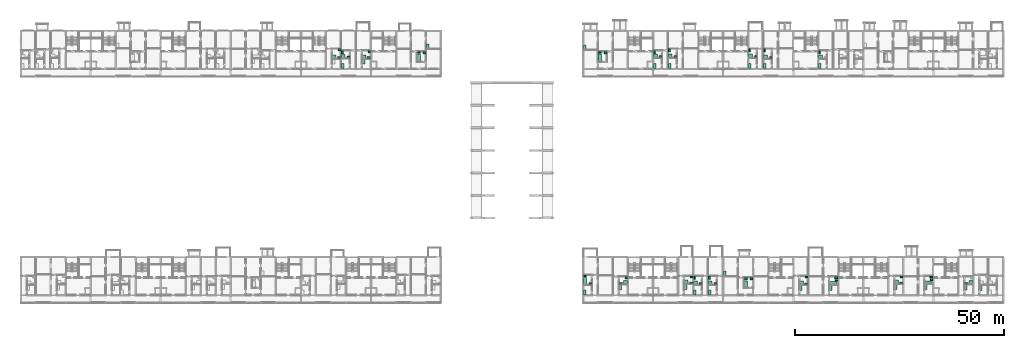
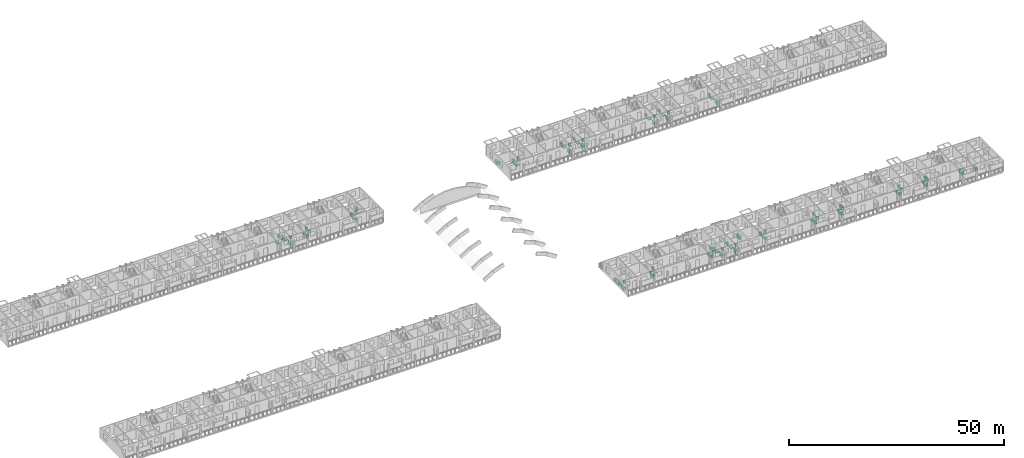
# One storey, part 98 of 99: 82 sanitary terminals.
"""IFC4 building model written with IfcOpenShell, lengths in metres."""

from ifc_helpers import new_model, si_unit, direction, frame, origin, origin_2d, place, context, subcontext, project, spatial, rectangle, extrude, element, save


model = new_model("IFC4")

# Units and contexts
model_context = context("Model", 3, precision=1e-05, world=origin(), true_north=direction((0.0, 1.0)))
body_context = subcontext(model_context, "Body", "Model", "MODEL_VIEW")
ifc_project = project(units=[si_unit("LENGTHUNIT", "METRE"), si_unit("AREAUNIT", "SQUARE_METRE"), si_unit("VOLUMEUNIT", "CUBIC_METRE"), si_unit("PLANEANGLEUNIT", "RADIAN"), si_unit("MASSUNIT", "GRAM", prefix="KILO")], contexts=[model_context])

# Site, building, storey
site_placement = place(None, origin())
site = spatial("IfcSite", under=ifc_project, at=site_placement, CompositionType="ELEMENT")
building_placement = place(site_placement, origin())
building = spatial("IfcBuilding", under=site, at=building_placement, Name="Ridgestep Commons", CompositionType="ELEMENT")
storey_placement = place(building_placement, frame((0.0, 0.0, 15.0)))
storey = spatial("IfcBuildingStorey", under=building, at=storey_placement, Name="L05", CompositionType="ELEMENT", Elevation=15.0)

# Sanitary terminals
sanitary_terminal_1_placement = place(storey_placement, frame((94.360107421875, 70.860107421875, 0.0), z_axis=(0.0, 0.0, 1.0), x_axis=(1.0, 0.0, 0.0)))
element("IfcSanitaryTerminal", 1, at=sanitary_terminal_1_placement, inside=storey, Name="Shower tray B5-05a", PredefinedType="SHOWER", context=body_context, shape_type="SweptSolid", body=[
    extrude(rectangle(XDim=0.89990234375, YDim=0.89990234375, at=origin_2d()), origin(), (0.0, 0.0, 1.0), 0.10009765625),
])
sanitary_terminal_2_placement = place(storey_placement, frame((95.5, 70.610107421875, 0.0), z_axis=(0.0, 0.0, 1.0), x_axis=(1.0, 0.0, 0.0)))
element("IfcSanitaryTerminal", 2, at=sanitary_terminal_2_placement, inside=storey, Name="WC B5-05a", PredefinedType="TOILETPAN", context=body_context, shape_type="SweptSolid", body=[
    extrude(rectangle(XDim=0.699951171875, YDim=0.39990234375, at=origin_2d()), origin(), (0.0, 0.0, 1.0), 0.800048828125),
])
sanitary_terminal_3_placement = place(storey_placement, frame((95.574951171875, 72.074951171875, 0.0), z_axis=(0.0, 0.0, 1.0), x_axis=(1.0, 0.0, 0.0)))
element("IfcSanitaryTerminal", 3, at=sanitary_terminal_3_placement, inside=storey, Name="Basin B5-05a", PredefinedType="WASHHANDBASIN", context=body_context, shape_type="SweptSolid", body=[
    extrude(rectangle(XDim=0.550048828125, YDim=0.449951171875, at=origin_2d()), origin(), (0.0, 0.0, 1.0), 0.85009765625),
])
sanitary_terminal_4_placement = place(storey_placement, frame((94.2099609375, 69.699951171875, 0.0), z_axis=(0.0, 0.0, 1.0), x_axis=(1.0, 0.0, 0.0)))
element("IfcSanitaryTerminal", 4, at=sanitary_terminal_4_placement, inside=storey, Name="Kitchen sink B5-05a", PredefinedType="SINK", context=body_context, shape_type="SweptSolid", body=[
    extrude(rectangle(XDim=0.60009765625, YDim=1.199951171875, at=origin_2d()), origin(), (0.0, 0.0, 1.0), 0.89990234375),
])
sanitary_terminal_5_placement = place(storey_placement, frame((89.35009765625, 70.9599609375, 0.0), z_axis=(0.0, 0.0, 1.0), x_axis=(1.0, 0.0, 0.0)))
element("IfcSanitaryTerminal", 5, at=sanitary_terminal_5_placement, inside=storey, Name="Shower tray B5-05b", PredefinedType="SHOWER", context=body_context, shape_type="SweptSolid", body=[
    extrude(rectangle(XDim=0.89990234375, YDim=0.89990234375, at=origin_2d()), origin(), (0.0, 0.0, 1.0), 0.10009765625),
])
sanitary_terminal_6_placement = place(storey_placement, frame((89.10009765625, 71.949951171875, 0.0), z_axis=(0.0, 0.0, 1.0), x_axis=(1.0, 0.0, 0.0)))
element("IfcSanitaryTerminal", 6, at=sanitary_terminal_6_placement, inside=storey, Name="WC B5-05b", PredefinedType="TOILETPAN", context=body_context, shape_type="SweptSolid", body=[
    extrude(rectangle(XDim=0.39990234375, YDim=0.699951171875, at=origin_2d()), origin(), (0.0, 0.0, 1.0), 0.800048828125),
])
sanitary_terminal_7_placement = place(storey_placement, frame((90.614990234375, 70.735107421875, 0.0), z_axis=(0.0, 0.0, 1.0), x_axis=(1.0, 0.0, 0.0)))
element("IfcSanitaryTerminal", 7, at=sanitary_terminal_7_placement, inside=storey, Name="Basin B5-05b", PredefinedType="WASHHANDBASIN", context=body_context, shape_type="SweptSolid", body=[
    extrude(rectangle(XDim=0.550048828125, YDim=0.449951171875, at=origin_2d()), origin(), (0.0, 0.0, 1.0), 0.85009765625),
])
sanitary_terminal_8_placement = place(storey_placement, frame((89.199951171875, 68.60009765625, 0.0), z_axis=(0.0, 0.0, 1.0), x_axis=(1.0, 0.0, 0.0)))
element("IfcSanitaryTerminal", 8, at=sanitary_terminal_8_placement, inside=storey, Name="Kitchen sink B5-05b", PredefinedType="SINK", context=body_context, shape_type="SweptSolid", body=[
    extrude(rectangle(XDim=0.60009765625, YDim=1.199951171875, at=origin_2d()), origin(), (0.0, 0.0, 1.0), 0.89990234375),
])
sanitary_terminal_9_placement = place(storey_placement, frame((87.18505859375, 70.860107421875, 0.0), z_axis=(0.0, 0.0, 1.0), x_axis=(1.0, 0.0, 0.0)))
element("IfcSanitaryTerminal", 9, at=sanitary_terminal_9_placement, inside=storey, Name="Shower tray B5-05c", PredefinedType="SHOWER", context=body_context, shape_type="SweptSolid", body=[
    extrude(rectangle(XDim=0.89990234375, YDim=0.89990234375, at=origin_2d()), origin(), (0.0, 0.0, 1.0), 0.10009765625),
])
sanitary_terminal_10_placement = place(storey_placement, frame((88.35009765625, 70.610107421875, 0.0), z_axis=(0.0, 0.0, 1.0), x_axis=(1.0, 0.0, 0.0)))
element("IfcSanitaryTerminal", 10, at=sanitary_terminal_10_placement, inside=storey, Name="WC B5-05c", PredefinedType="TOILETPAN", context=body_context, shape_type="SweptSolid", body=[
    extrude(rectangle(XDim=0.699951171875, YDim=0.39990234375, at=origin_2d()), origin(), (0.0, 0.0, 1.0), 0.800048828125),
])
sanitary_terminal_11_placement = place(storey_placement, frame((88.425048828125, 72.47509765625, 0.0), z_axis=(0.0, 0.0, 1.0), x_axis=(1.0, 0.0, 0.0)))
element("IfcSanitaryTerminal", 11, at=sanitary_terminal_11_placement, inside=storey, Name="Basin B5-05c", PredefinedType="WASHHANDBASIN", context=body_context, shape_type="SweptSolid", body=[
    extrude(rectangle(XDim=0.550048828125, YDim=0.449951171875, at=origin_2d()), origin(), (0.0, 0.0, 1.0), 0.85009765625),
])
sanitary_terminal_12_placement = place(storey_placement, frame((107.485107421875, 70.510009765625, 0.0), z_axis=(0.0, 0.0, 1.0), x_axis=(1.0, 0.0, 0.0)))
element("IfcSanitaryTerminal", 12, at=sanitary_terminal_12_placement, inside=storey, Name="Bath B6-05a", PredefinedType="BATH", context=body_context, shape_type="SweptSolid", body=[
    extrude(rectangle(XDim=0.75, YDim=1.699951171875, at=origin_2d()), origin(), (0.0, 0.0, 1.0), 0.550048828125),
])
sanitary_terminal_13_placement = place(storey_placement, frame((107.4599609375, 71.860107421875, 0.0), z_axis=(0.0, 0.0, 1.0), x_axis=(1.0, 0.0, 0.0)))
element("IfcSanitaryTerminal", 13, at=sanitary_terminal_13_placement, inside=storey, Name="WC B6-05a", PredefinedType="TOILETPAN", context=body_context, shape_type="SweptSolid", body=[
    extrude(rectangle(XDim=0.699951171875, YDim=0.39990234375, at=origin_2d()), origin(), (0.0, 0.0, 1.0), 0.800048828125),
])
sanitary_terminal_14_placement = place(storey_placement, frame((108.824951171875, 71.8349609375, 0.0), z_axis=(0.0, 0.0, 1.0), x_axis=(1.0, 0.0, 0.0)))
element("IfcSanitaryTerminal", 14, at=sanitary_terminal_14_placement, inside=storey, Name="Basin B6-05a", PredefinedType="WASHHANDBASIN", context=body_context, shape_type="SweptSolid", body=[
    extrude(rectangle(XDim=0.550048828125, YDim=0.449951171875, at=origin_2d()), origin(), (0.0, 0.0, 1.0), 0.85009765625),
])
sanitary_terminal_15_placement = place(storey_placement, frame((109.60009765625, 73.31005859375, 0.0), z_axis=(0.0, 0.0, 1.0), x_axis=(1.0, 0.0, 0.0)))
element("IfcSanitaryTerminal", 15, at=sanitary_terminal_15_placement, inside=storey, Name="Kitchen sink B6-05a", PredefinedType="SINK", context=body_context, shape_type="SweptSolid", body=[
    extrude(rectangle(XDim=0.60009765625, YDim=1.199951171875, at=origin_2d()), origin(), (0.0, 0.0, 1.0), 0.89990234375),
])
sanitary_terminal_16_placement = place(storey_placement, frame((150.875, 70.510009765625, 0.0), z_axis=(0.0, 0.0, 1.0), x_axis=(1.0, 0.0, 0.0)))
element("IfcSanitaryTerminal", 16, at=sanitary_terminal_16_placement, inside=storey, Name="Bath C1-05a", PredefinedType="BATH", context=body_context, shape_type="SweptSolid", body=[
    extrude(rectangle(XDim=0.75, YDim=1.699951171875, at=origin_2d()), origin(), (0.0, 0.0, 1.0), 0.550048828125),
])
sanitary_terminal_17_placement = place(storey_placement, frame((150.85009765625, 71.860107421875, 0.0), z_axis=(0.0, 0.0, 1.0), x_axis=(1.0, 0.0, 0.0)))
element("IfcSanitaryTerminal", 17, at=sanitary_terminal_17_placement, inside=storey, Name="WC C1-05a", PredefinedType="TOILETPAN", context=body_context, shape_type="SweptSolid", body=[
    extrude(rectangle(XDim=0.699951171875, YDim=0.39990234375, at=origin_2d()), origin(), (0.0, 0.0, 1.0), 0.800048828125),
])
sanitary_terminal_18_placement = place(storey_placement, frame((152.215087890625, 71.8349609375, 0.0), z_axis=(0.0, 0.0, 1.0), x_axis=(1.0, 0.0, 0.0)))
element("IfcSanitaryTerminal", 18, at=sanitary_terminal_18_placement, inside=storey, Name="Basin C1-05a", PredefinedType="WASHHANDBASIN", context=body_context, shape_type="SweptSolid", body=[
    extrude(rectangle(XDim=0.550048828125, YDim=0.449951171875, at=origin_2d()), origin(), (0.0, 0.0, 1.0), 0.85009765625),
])
sanitary_terminal_19_placement = place(storey_placement, frame((147.25, 73.110107421875, 0.0), z_axis=(0.0, 0.0, 1.0), x_axis=(1.0, 0.0, 0.0)))
element("IfcSanitaryTerminal", 19, at=sanitary_terminal_19_placement, inside=storey, Name="Kitchen sink C1-05a", PredefinedType="SINK", context=body_context, shape_type="SweptSolid", body=[
    extrude(rectangle(XDim=0.60009765625, YDim=1.199951171875, at=origin_2d()), origin(), (0.0, 0.0, 1.0), 0.89990234375),
])
sanitary_terminal_20_placement = place(storey_placement, frame((164.199951171875, 71.06005859375, 0.0), z_axis=(0.0, 0.0, 1.0), x_axis=(1.0, 0.0, 0.0)))
element("IfcSanitaryTerminal", 20, at=sanitary_terminal_20_placement, inside=storey, Name="Shower tray C2-05a", PredefinedType="SHOWER", context=body_context, shape_type="SweptSolid", body=[
    extrude(rectangle(XDim=0.89990234375, YDim=0.89990234375, at=origin_2d()), origin(), (0.0, 0.0, 1.0), 0.10009765625),
])
sanitary_terminal_21_placement = place(storey_placement, frame((163.949951171875, 71.949951171875, 0.0), z_axis=(0.0, 0.0, 1.0), x_axis=(1.0, 0.0, 0.0)))
element("IfcSanitaryTerminal", 21, at=sanitary_terminal_21_placement, inside=storey, Name="WC C2-05a", PredefinedType="TOILETPAN", context=body_context, shape_type="SweptSolid", body=[
    extrude(rectangle(XDim=0.39990234375, YDim=0.699951171875, at=origin_2d()), origin(), (0.0, 0.0, 1.0), 0.800048828125),
])
sanitary_terminal_22_placement = place(storey_placement, frame((165.4150390625, 70.8349609375, 0.0), z_axis=(0.0, 0.0, 1.0), x_axis=(1.0, 0.0, 0.0)))
element("IfcSanitaryTerminal", 22, at=sanitary_terminal_22_placement, inside=storey, Name="Basin C2-05a", PredefinedType="WASHHANDBASIN", context=body_context, shape_type="SweptSolid", body=[
    extrude(rectangle(XDim=0.550048828125, YDim=0.449951171875, at=origin_2d()), origin(), (0.0, 0.0, 1.0), 0.85009765625),
])
sanitary_terminal_23_placement = place(storey_placement, frame((164.050048828125, 68.60009765625, 0.0), z_axis=(0.0, 0.0, 1.0), x_axis=(1.0, 0.0, 0.0)))
element("IfcSanitaryTerminal", 23, at=sanitary_terminal_23_placement, inside=storey, Name="Kitchen sink C2-05a", PredefinedType="SINK", context=body_context, shape_type="SweptSolid", body=[
    extrude(rectangle(XDim=0.60009765625, YDim=1.199951171875, at=origin_2d()), origin(), (0.0, 0.0, 1.0), 0.89990234375),
])
sanitary_terminal_24_placement = place(storey_placement, frame((167.75, 71.06005859375, 0.0), z_axis=(0.0, 0.0, 1.0), x_axis=(1.0, 0.0, 0.0)))
element("IfcSanitaryTerminal", 24, at=sanitary_terminal_24_placement, inside=storey, Name="Shower tray C2-05b", PredefinedType="SHOWER", context=body_context, shape_type="SweptSolid", body=[
    extrude(rectangle(XDim=0.89990234375, YDim=0.89990234375, at=origin_2d()), origin(), (0.0, 0.0, 1.0), 0.10009765625),
])
sanitary_terminal_25_placement = place(storey_placement, frame((167.5, 72.35009765625, 0.0), z_axis=(0.0, 0.0, 1.0), x_axis=(1.0, 0.0, 0.0)))
element("IfcSanitaryTerminal", 25, at=sanitary_terminal_25_placement, inside=storey, Name="WC C2-05b", PredefinedType="TOILETPAN", context=body_context, shape_type="SweptSolid", body=[
    extrude(rectangle(XDim=0.39990234375, YDim=0.699951171875, at=origin_2d()), origin(), (0.0, 0.0, 1.0), 0.800048828125),
])
sanitary_terminal_26_placement = place(storey_placement, frame((169.014892578125, 70.8349609375, 0.0), z_axis=(0.0, 0.0, 1.0), x_axis=(1.0, 0.0, 0.0)))
element("IfcSanitaryTerminal", 26, at=sanitary_terminal_26_placement, inside=storey, Name="Basin C2-05b", PredefinedType="WASHHANDBASIN", context=body_context, shape_type="SweptSolid", body=[
    extrude(rectangle(XDim=0.550048828125, YDim=0.449951171875, at=origin_2d()), origin(), (0.0, 0.0, 1.0), 0.85009765625),
])
sanitary_terminal_27_placement = place(storey_placement, frame((167.60009765625, 68.60009765625, 0.0), z_axis=(0.0, 0.0, 1.0), x_axis=(1.0, 0.0, 0.0)))
element("IfcSanitaryTerminal", 27, at=sanitary_terminal_27_placement, inside=storey, Name="Kitchen sink C2-05b", PredefinedType="SINK", context=body_context, shape_type="SweptSolid", body=[
    extrude(rectangle(XDim=0.60009765625, YDim=1.199951171875, at=origin_2d()), origin(), (0.0, 0.0, 1.0), 0.89990234375),
])
sanitary_terminal_28_placement = place(storey_placement, frame((190.550048828125, 70.860107421875, 0.0), z_axis=(0.0, 0.0, 1.0), x_axis=(1.0, 0.0, 0.0)))
element("IfcSanitaryTerminal", 28, at=sanitary_terminal_28_placement, inside=storey, Name="Shower tray C3-05a", PredefinedType="SHOWER", context=body_context, shape_type="SweptSolid", body=[
    extrude(rectangle(XDim=0.89990234375, YDim=0.89990234375, at=origin_2d()), origin(), (0.0, 0.0, 1.0), 0.10009765625),
])
sanitary_terminal_29_placement = place(storey_placement, frame((190.300048828125, 72.35009765625, 0.0), z_axis=(0.0, 0.0, 1.0), x_axis=(1.0, 0.0, 0.0)))
element("IfcSanitaryTerminal", 29, at=sanitary_terminal_29_placement, inside=storey, Name="WC C3-05a", PredefinedType="TOILETPAN", context=body_context, shape_type="SweptSolid", body=[
    extrude(rectangle(XDim=0.39990234375, YDim=0.699951171875, at=origin_2d()), origin(), (0.0, 0.0, 1.0), 0.800048828125),
])
sanitary_terminal_30_placement = place(storey_placement, frame((191.81494140625, 70.635009765625, 0.0), z_axis=(0.0, 0.0, 1.0), x_axis=(1.0, 0.0, 0.0)))
element("IfcSanitaryTerminal", 30, at=sanitary_terminal_30_placement, inside=storey, Name="Basin C3-05a", PredefinedType="WASHHANDBASIN", context=body_context, shape_type="SweptSolid", body=[
    extrude(rectangle(XDim=0.550048828125, YDim=0.449951171875, at=origin_2d()), origin(), (0.0, 0.0, 1.0), 0.85009765625),
])
sanitary_terminal_31_placement = place(storey_placement, frame((190.39990234375, 68.60009765625, 0.0), z_axis=(0.0, 0.0, 1.0), x_axis=(1.0, 0.0, 0.0)))
element("IfcSanitaryTerminal", 31, at=sanitary_terminal_31_placement, inside=storey, Name="Kitchen sink C3-05a", PredefinedType="SINK", context=body_context, shape_type="SweptSolid", body=[
    extrude(rectangle(XDim=0.60009765625, YDim=1.199951171875, at=origin_2d()), origin(), (0.0, 0.0, 1.0), 0.89990234375),
])
sanitary_terminal_32_placement = place(storey_placement, frame((186.97509765625, 71.06005859375, 0.0), z_axis=(0.0, 0.0, 1.0), x_axis=(1.0, 0.0, 0.0)))
element("IfcSanitaryTerminal", 32, at=sanitary_terminal_32_placement, inside=storey, Name="Shower tray C3-05b", PredefinedType="SHOWER", context=body_context, shape_type="SweptSolid", body=[
    extrude(rectangle(XDim=0.89990234375, YDim=0.89990234375, at=origin_2d()), origin(), (0.0, 0.0, 1.0), 0.10009765625),
])
sanitary_terminal_33_placement = place(storey_placement, frame((186.72509765625, 72.35009765625, 0.0), z_axis=(0.0, 0.0, 1.0), x_axis=(1.0, 0.0, 0.0)))
element("IfcSanitaryTerminal", 33, at=sanitary_terminal_33_placement, inside=storey, Name="WC C3-05b", PredefinedType="TOILETPAN", context=body_context, shape_type="SweptSolid", body=[
    extrude(rectangle(XDim=0.39990234375, YDim=0.699951171875, at=origin_2d()), origin(), (0.0, 0.0, 1.0), 0.800048828125),
])
sanitary_terminal_34_placement = place(storey_placement, frame((188.215087890625, 70.8349609375, 0.0), z_axis=(0.0, 0.0, 1.0), x_axis=(1.0, 0.0, 0.0)))
element("IfcSanitaryTerminal", 34, at=sanitary_terminal_34_placement, inside=storey, Name="Basin C3-05b", PredefinedType="WASHHANDBASIN", context=body_context, shape_type="SweptSolid", body=[
    extrude(rectangle(XDim=0.550048828125, YDim=0.449951171875, at=origin_2d()), origin(), (0.0, 0.0, 1.0), 0.85009765625),
])
sanitary_terminal_35_placement = place(storey_placement, frame((186.824951171875, 68.60009765625, 0.0), z_axis=(0.0, 0.0, 1.0), x_axis=(1.0, 0.0, 0.0)))
element("IfcSanitaryTerminal", 35, at=sanitary_terminal_35_placement, inside=storey, Name="Kitchen sink C3-05b", PredefinedType="SINK", context=body_context, shape_type="SweptSolid", body=[
    extrude(rectangle(XDim=0.60009765625, YDim=1.199951171875, at=origin_2d()), origin(), (0.0, 0.0, 1.0), 0.89990234375),
])
sanitary_terminal_36_placement = place(storey_placement, frame((203.77490234375, 70.860107421875, 0.0), z_axis=(0.0, 0.0, 1.0), x_axis=(1.0, 0.0, 0.0)))
element("IfcSanitaryTerminal", 36, at=sanitary_terminal_36_placement, inside=storey, Name="Shower tray C4-05c", PredefinedType="SHOWER", context=body_context, shape_type="SweptSolid", body=[
    extrude(rectangle(XDim=0.89990234375, YDim=0.89990234375, at=origin_2d()), origin(), (0.0, 0.0, 1.0), 0.10009765625),
])
sanitary_terminal_37_placement = place(storey_placement, frame((203.52490234375, 71.949951171875, 0.0), z_axis=(0.0, 0.0, 1.0), x_axis=(1.0, 0.0, 0.0)))
element("IfcSanitaryTerminal", 37, at=sanitary_terminal_37_placement, inside=storey, Name="WC C4-05c", PredefinedType="TOILETPAN", context=body_context, shape_type="SweptSolid", body=[
    extrude(rectangle(XDim=0.39990234375, YDim=0.699951171875, at=origin_2d()), origin(), (0.0, 0.0, 1.0), 0.800048828125),
])
sanitary_terminal_38_placement = place(storey_placement, frame((203.625, 68.60009765625, 0.0), z_axis=(0.0, 0.0, 1.0), x_axis=(1.0, 0.0, 0.0)))
element("IfcSanitaryTerminal", 38, at=sanitary_terminal_38_placement, inside=storey, Name="Kitchen sink C4-05c", PredefinedType="SINK", context=body_context, shape_type="SweptSolid", body=[
    extrude(rectangle(XDim=0.60009765625, YDim=1.199951171875, at=origin_2d()), origin(), (0.0, 0.0, 1.0), 0.89990234375),
])
sanitary_terminal_39_placement = place(storey_placement, frame((147.324951171875, 17.010009765625, 0.0), z_axis=(0.0, 0.0, 1.0), x_axis=(1.0, 0.0, 0.0)))
element("IfcSanitaryTerminal", 39, at=sanitary_terminal_39_placement, inside=storey, Name="Bath D1-05a", PredefinedType="BATH", context=body_context, shape_type="SweptSolid", body=[
    extrude(rectangle(XDim=0.75, YDim=1.699951171875, at=origin_2d()), origin(), (0.0, 0.0, 1.0), 0.550048828125),
])
sanitary_terminal_40_placement = place(storey_placement, frame((147.300048828125, 18.25, 0.0), z_axis=(0.0, 0.0, 1.0), x_axis=(1.0, 0.0, 0.0)))
element("IfcSanitaryTerminal", 40, at=sanitary_terminal_40_placement, inside=storey, Name="WC D1-05a", PredefinedType="TOILETPAN", context=body_context, shape_type="SweptSolid", body=[
    extrude(rectangle(XDim=0.699951171875, YDim=0.39990234375, at=origin_2d()), origin(), (0.0, 0.0, 1.0), 0.800048828125),
])
sanitary_terminal_41_placement = place(storey_placement, frame((148.614990234375, 16.385009765625, 0.0), z_axis=(0.0, 0.0, 1.0), x_axis=(1.0, 0.0, 0.0)))
element("IfcSanitaryTerminal", 41, at=sanitary_terminal_41_placement, inside=storey, Name="Basin D1-05a", PredefinedType="WASHHANDBASIN", context=body_context, shape_type="SweptSolid", body=[
    extrude(rectangle(XDim=0.550048828125, YDim=0.449951171875, at=origin_2d()), origin(), (0.0, 0.0, 1.0), 0.85009765625),
])
sanitary_terminal_42_placement = place(storey_placement, frame((147.25, 14.35009765625, 0.0), z_axis=(0.0, 0.0, 1.0), x_axis=(1.0, 0.0, 0.0)))
element("IfcSanitaryTerminal", 42, at=sanitary_terminal_42_placement, inside=storey, Name="Kitchen sink D1-05a", PredefinedType="SINK", context=body_context, shape_type="SweptSolid", body=[
    extrude(rectangle(XDim=0.60009765625, YDim=1.199951171875, at=origin_2d()), origin(), (0.0, 0.0, 1.0), 0.89990234375),
])
sanitary_terminal_43_placement = place(storey_placement, frame((157.02490234375, 16.7099609375, 0.0), z_axis=(0.0, 0.0, 1.0), x_axis=(1.0, 0.0, 0.0)))
element("IfcSanitaryTerminal", 43, at=sanitary_terminal_43_placement, inside=storey, Name="Shower tray D1-05b", PredefinedType="SHOWER", context=body_context, shape_type="SweptSolid", body=[
    extrude(rectangle(XDim=0.89990234375, YDim=0.89990234375, at=origin_2d()), origin(), (0.0, 0.0, 1.0), 0.10009765625),
])
sanitary_terminal_44_placement = place(storey_placement, frame((155.860107421875, 16.4599609375, 0.0), z_axis=(0.0, 0.0, 1.0), x_axis=(1.0, 0.0, 0.0)))
element("IfcSanitaryTerminal", 44, at=sanitary_terminal_44_placement, inside=storey, Name="WC D1-05b", PredefinedType="TOILETPAN", context=body_context, shape_type="SweptSolid", body=[
    extrude(rectangle(XDim=0.699951171875, YDim=0.39990234375, at=origin_2d()), origin(), (0.0, 0.0, 1.0), 0.800048828125),
])
sanitary_terminal_45_placement = place(storey_placement, frame((157.199951171875, 17.824951171875, 0.0), z_axis=(0.0, 0.0, 1.0), x_axis=(1.0, 0.0, 0.0)))
element("IfcSanitaryTerminal", 45, at=sanitary_terminal_45_placement, inside=storey, Name="Basin D1-05b", PredefinedType="WASHHANDBASIN", context=body_context, shape_type="SweptSolid", body=[
    extrude(rectangle(XDim=0.550048828125, YDim=0.449951171875, at=origin_2d()), origin(), (0.0, 0.0, 1.0), 0.85009765625),
])
sanitary_terminal_46_placement = place(storey_placement, frame((155.81005859375, 15.550048828125, 0.0), z_axis=(0.0, 0.0, 1.0), x_axis=(1.0, 0.0, 0.0)))
element("IfcSanitaryTerminal", 46, at=sanitary_terminal_46_placement, inside=storey, Name="Kitchen sink D1-05b", PredefinedType="SINK", context=body_context, shape_type="SweptSolid", body=[
    extrude(rectangle(XDim=0.60009765625, YDim=1.199951171875, at=origin_2d()), origin(), (0.0, 0.0, 1.0), 0.89990234375),
])
sanitary_terminal_47_placement = place(storey_placement, frame((177.35009765625, 16.610107421875, 0.0), z_axis=(0.0, 0.0, 1.0), x_axis=(1.0, 0.0, 0.0)))
element("IfcSanitaryTerminal", 47, at=sanitary_terminal_47_placement, inside=storey, Name="Shower tray D2-05a", PredefinedType="SHOWER", context=body_context, shape_type="SweptSolid", body=[
    extrude(rectangle(XDim=0.89990234375, YDim=0.89990234375, at=origin_2d()), origin(), (0.0, 0.0, 1.0), 0.10009765625),
])
sanitary_terminal_48_placement = place(storey_placement, frame((177.10009765625, 17.89990234375, 0.0), z_axis=(0.0, 0.0, 1.0), x_axis=(1.0, 0.0, 0.0)))
element("IfcSanitaryTerminal", 48, at=sanitary_terminal_48_placement, inside=storey, Name="WC D2-05a", PredefinedType="TOILETPAN", context=body_context, shape_type="SweptSolid", body=[
    extrude(rectangle(XDim=0.39990234375, YDim=0.699951171875, at=origin_2d()), origin(), (0.0, 0.0, 1.0), 0.800048828125),
])
sanitary_terminal_49_placement = place(storey_placement, frame((178.56494140625, 16.385009765625, 0.0), z_axis=(0.0, 0.0, 1.0), x_axis=(1.0, 0.0, 0.0)))
element("IfcSanitaryTerminal", 49, at=sanitary_terminal_49_placement, inside=storey, Name="Basin D2-05a", PredefinedType="WASHHANDBASIN", context=body_context, shape_type="SweptSolid", body=[
    extrude(rectangle(XDim=0.550048828125, YDim=0.449951171875, at=origin_2d()), origin(), (0.0, 0.0, 1.0), 0.85009765625),
])
sanitary_terminal_50_placement = place(storey_placement, frame((177.199951171875, 14.35009765625, 0.0), z_axis=(0.0, 0.0, 1.0), x_axis=(1.0, 0.0, 0.0)))
element("IfcSanitaryTerminal", 50, at=sanitary_terminal_50_placement, inside=storey, Name="Kitchen sink D2-05a", PredefinedType="SINK", context=body_context, shape_type="SweptSolid", body=[
    extrude(rectangle(XDim=0.60009765625, YDim=1.199951171875, at=origin_2d()), origin(), (0.0, 0.0, 1.0), 0.89990234375),
])
sanitary_terminal_51_placement = place(storey_placement, frame((173.77490234375, 16.610107421875, 0.0), z_axis=(0.0, 0.0, 1.0), x_axis=(1.0, 0.0, 0.0)))
element("IfcSanitaryTerminal", 51, at=sanitary_terminal_51_placement, inside=storey, Name="Shower tray D2-05b", PredefinedType="SHOWER", context=body_context, shape_type="SweptSolid", body=[
    extrude(rectangle(XDim=0.89990234375, YDim=0.89990234375, at=origin_2d()), origin(), (0.0, 0.0, 1.0), 0.10009765625),
])
sanitary_terminal_52_placement = place(storey_placement, frame((173.52490234375, 17.89990234375, 0.0), z_axis=(0.0, 0.0, 1.0), x_axis=(1.0, 0.0, 0.0)))
element("IfcSanitaryTerminal", 52, at=sanitary_terminal_52_placement, inside=storey, Name="WC D2-05b", PredefinedType="TOILETPAN", context=body_context, shape_type="SweptSolid", body=[
    extrude(rectangle(XDim=0.39990234375, YDim=0.699951171875, at=origin_2d()), origin(), (0.0, 0.0, 1.0), 0.800048828125),
])
sanitary_terminal_53_placement = place(storey_placement, frame((175.014892578125, 16.385009765625, 0.0), z_axis=(0.0, 0.0, 1.0), x_axis=(1.0, 0.0, 0.0)))
element("IfcSanitaryTerminal", 53, at=sanitary_terminal_53_placement, inside=storey, Name="Basin D2-05b", PredefinedType="WASHHANDBASIN", context=body_context, shape_type="SweptSolid", body=[
    extrude(rectangle(XDim=0.550048828125, YDim=0.449951171875, at=origin_2d()), origin(), (0.0, 0.0, 1.0), 0.85009765625),
])
sanitary_terminal_54_placement = place(storey_placement, frame((173.625, 14.35009765625, 0.0), z_axis=(0.0, 0.0, 1.0), x_axis=(1.0, 0.0, 0.0)))
element("IfcSanitaryTerminal", 54, at=sanitary_terminal_54_placement, inside=storey, Name="Kitchen sink D2-05b", PredefinedType="SINK", context=body_context, shape_type="SweptSolid", body=[
    extrude(rectangle(XDim=0.60009765625, YDim=1.199951171875, at=origin_2d()), origin(), (0.0, 0.0, 1.0), 0.89990234375),
])
sanitary_terminal_55_placement = place(storey_placement, frame((171.5849609375, 16.81005859375, 0.0), z_axis=(0.0, 0.0, 1.0), x_axis=(1.0, 0.0, 0.0)))
element("IfcSanitaryTerminal", 55, at=sanitary_terminal_55_placement, inside=storey, Name="Shower tray D2-05c", PredefinedType="SHOWER", context=body_context, shape_type="SweptSolid", body=[
    extrude(rectangle(XDim=0.89990234375, YDim=0.89990234375, at=origin_2d()), origin(), (0.0, 0.0, 1.0), 0.10009765625),
])
sanitary_terminal_56_placement = place(storey_placement, frame((172.72509765625, 16.56005859375, 0.0), z_axis=(0.0, 0.0, 1.0), x_axis=(1.0, 0.0, 0.0)))
element("IfcSanitaryTerminal", 56, at=sanitary_terminal_56_placement, inside=storey, Name="WC D2-05c", PredefinedType="TOILETPAN", context=body_context, shape_type="SweptSolid", body=[
    extrude(rectangle(XDim=0.699951171875, YDim=0.39990234375, at=origin_2d()), origin(), (0.0, 0.0, 1.0), 0.800048828125),
])
sanitary_terminal_57_placement = place(storey_placement, frame((172.800048828125, 18.02490234375, 0.0), z_axis=(0.0, 0.0, 1.0), x_axis=(1.0, 0.0, 0.0)))
element("IfcSanitaryTerminal", 57, at=sanitary_terminal_57_placement, inside=storey, Name="Basin D2-05c", PredefinedType="WASHHANDBASIN", context=body_context, shape_type="SweptSolid", body=[
    extrude(rectangle(XDim=0.550048828125, YDim=0.449951171875, at=origin_2d()), origin(), (0.0, 0.0, 1.0), 0.85009765625),
])
sanitary_terminal_58_placement = place(storey_placement, frame((171.43505859375, 15.64990234375, 0.0), z_axis=(0.0, 0.0, 1.0), x_axis=(1.0, 0.0, 0.0)))
element("IfcSanitaryTerminal", 58, at=sanitary_terminal_58_placement, inside=storey, Name="Kitchen sink D2-05c", PredefinedType="SINK", context=body_context, shape_type="SweptSolid", body=[
    extrude(rectangle(XDim=0.60009765625, YDim=1.199951171875, at=origin_2d()), origin(), (0.0, 0.0, 1.0), 0.89990234375),
])
sanitary_terminal_59_placement = place(storey_placement, frame((185.885009765625, 16.260009765625, 0.0), z_axis=(0.0, 0.0, 1.0), x_axis=(1.0, 0.0, 0.0)))
element("IfcSanitaryTerminal", 59, at=sanitary_terminal_59_placement, inside=storey, Name="Bath D3-05a", PredefinedType="BATH", context=body_context, shape_type="SweptSolid", body=[
    extrude(rectangle(XDim=0.75, YDim=1.699951171875, at=origin_2d()), origin(), (0.0, 0.0, 1.0), 0.550048828125),
])
sanitary_terminal_60_placement = place(storey_placement, frame((185.860107421875, 17.610107421875, 0.0), z_axis=(0.0, 0.0, 1.0), x_axis=(1.0, 0.0, 0.0)))
element("IfcSanitaryTerminal", 60, at=sanitary_terminal_60_placement, inside=storey, Name="WC D3-05a", PredefinedType="TOILETPAN", context=body_context, shape_type="SweptSolid", body=[
    extrude(rectangle(XDim=0.699951171875, YDim=0.39990234375, at=origin_2d()), origin(), (0.0, 0.0, 1.0), 0.800048828125),
])
sanitary_terminal_61_placement = place(storey_placement, frame((187.199951171875, 17.5849609375, 0.0), z_axis=(0.0, 0.0, 1.0), x_axis=(1.0, 0.0, 0.0)))
element("IfcSanitaryTerminal", 61, at=sanitary_terminal_61_placement, inside=storey, Name="Basin D3-05a", PredefinedType="WASHHANDBASIN", context=body_context, shape_type="SweptSolid", body=[
    extrude(rectangle(XDim=0.550048828125, YDim=0.449951171875, at=origin_2d()), origin(), (0.0, 0.0, 1.0), 0.85009765625),
])
sanitary_terminal_62_placement = place(storey_placement, frame((180.85009765625, 18.860107421875, 0.0), z_axis=(0.0, 0.0, 1.0), x_axis=(1.0, 0.0, 0.0)))
element("IfcSanitaryTerminal", 62, at=sanitary_terminal_62_placement, inside=storey, Name="Kitchen sink D3-05a", PredefinedType="SINK", context=body_context, shape_type="SweptSolid", body=[
    extrude(rectangle(XDim=0.60009765625, YDim=1.199951171875, at=origin_2d()), origin(), (0.0, 0.0, 1.0), 0.89990234375),
])
sanitary_terminal_63_placement = place(storey_placement, frame((199.2099609375, 16.610107421875, 0.0), z_axis=(0.0, 0.0, 1.0), x_axis=(1.0, 0.0, 0.0)))
element("IfcSanitaryTerminal", 63, at=sanitary_terminal_63_placement, inside=storey, Name="Shower tray D4-05a", PredefinedType="SHOWER", context=body_context, shape_type="SweptSolid", body=[
    extrude(rectangle(XDim=0.89990234375, YDim=0.89990234375, at=origin_2d()), origin(), (0.0, 0.0, 1.0), 0.10009765625),
])
sanitary_terminal_64_placement = place(storey_placement, frame((200.35009765625, 16.360107421875, 0.0), z_axis=(0.0, 0.0, 1.0), x_axis=(1.0, 0.0, 0.0)))
element("IfcSanitaryTerminal", 64, at=sanitary_terminal_64_placement, inside=storey, Name="WC D4-05a", PredefinedType="TOILETPAN", context=body_context, shape_type="SweptSolid", body=[
    extrude(rectangle(XDim=0.699951171875, YDim=0.39990234375, at=origin_2d()), origin(), (0.0, 0.0, 1.0), 0.800048828125),
])
sanitary_terminal_65_placement = place(storey_placement, frame((200.425048828125, 18.02490234375, 0.0), z_axis=(0.0, 0.0, 1.0), x_axis=(1.0, 0.0, 0.0)))
element("IfcSanitaryTerminal", 65, at=sanitary_terminal_65_placement, inside=storey, Name="Basin D4-05a", PredefinedType="WASHHANDBASIN", context=body_context, shape_type="SweptSolid", body=[
    extrude(rectangle(XDim=0.550048828125, YDim=0.449951171875, at=origin_2d()), origin(), (0.0, 0.0, 1.0), 0.85009765625),
])
sanitary_terminal_66_placement = place(storey_placement, frame((199.06005859375, 15.449951171875, 0.0), z_axis=(0.0, 0.0, 1.0), x_axis=(1.0, 0.0, 0.0)))
element("IfcSanitaryTerminal", 66, at=sanitary_terminal_66_placement, inside=storey, Name="Kitchen sink D4-05a", PredefinedType="SINK", context=body_context, shape_type="SweptSolid", body=[
    extrude(rectangle(XDim=0.60009765625, YDim=1.199951171875, at=origin_2d()), origin(), (0.0, 0.0, 1.0), 0.89990234375),
])
sanitary_terminal_67_placement = place(storey_placement, frame((206.760009765625, 16.534912109375, 0.0), z_axis=(0.0, 0.0, 1.0), x_axis=(1.0, 0.0, 0.0)))
element("IfcSanitaryTerminal", 67, at=sanitary_terminal_67_placement, inside=storey, Name="Bath D4-05b", PredefinedType="BATH", context=body_context, shape_type="SweptSolid", body=[
    extrude(rectangle(XDim=1.699951171875, YDim=0.75, at=origin_2d()), origin(), (0.0, 0.0, 1.0), 0.550048828125),
])
sanitary_terminal_68_placement = place(storey_placement, frame((207.52490234375, 17.85009765625, 0.0), z_axis=(0.0, 0.0, 1.0), x_axis=(1.0, 0.0, 0.0)))
element("IfcSanitaryTerminal", 68, at=sanitary_terminal_68_placement, inside=storey, Name="WC D4-05b", PredefinedType="TOILETPAN", context=body_context, shape_type="SweptSolid", body=[
    extrude(rectangle(XDim=0.699951171875, YDim=0.39990234375, at=origin_2d()), origin(), (0.0, 0.0, 1.0), 0.800048828125),
])
sanitary_terminal_69_placement = place(storey_placement, frame((207.60009765625, 17.18505859375, 0.0), z_axis=(0.0, 0.0, 1.0), x_axis=(1.0, 0.0, 0.0)))
element("IfcSanitaryTerminal", 69, at=sanitary_terminal_69_placement, inside=storey, Name="Basin D4-05b", PredefinedType="WASHHANDBASIN", context=body_context, shape_type="SweptSolid", body=[
    extrude(rectangle(XDim=0.550048828125, YDim=0.449951171875, at=origin_2d()), origin(), (0.0, 0.0, 1.0), 0.85009765625),
])
sanitary_terminal_70_placement = place(storey_placement, frame((206.2099609375, 15.449951171875, 0.0), z_axis=(0.0, 0.0, 1.0), x_axis=(1.0, 0.0, 0.0)))
element("IfcSanitaryTerminal", 70, at=sanitary_terminal_70_placement, inside=storey, Name="Kitchen sink D4-05b", PredefinedType="SINK", context=body_context, shape_type="SweptSolid", body=[
    extrude(rectangle(XDim=0.60009765625, YDim=1.199951171875, at=origin_2d()), origin(), (0.0, 0.0, 1.0), 0.89990234375),
])
sanitary_terminal_71_placement = place(storey_placement, frame((229.56005859375, 16.735107421875, 0.0), z_axis=(0.0, 0.0, 1.0), x_axis=(1.0, 0.0, 0.0)))
element("IfcSanitaryTerminal", 71, at=sanitary_terminal_71_placement, inside=storey, Name="Bath D5-05a", PredefinedType="BATH", context=body_context, shape_type="SweptSolid", body=[
    extrude(rectangle(XDim=1.699951171875, YDim=0.75, at=origin_2d()), origin(), (0.0, 0.0, 1.0), 0.550048828125),
])
sanitary_terminal_72_placement = place(storey_placement, frame((230.300048828125, 18.050048828125, 0.0), z_axis=(0.0, 0.0, 1.0), x_axis=(1.0, 0.0, 0.0)))
element("IfcSanitaryTerminal", 72, at=sanitary_terminal_72_placement, inside=storey, Name="WC D5-05a", PredefinedType="TOILETPAN", context=body_context, shape_type="SweptSolid", body=[
    extrude(rectangle(XDim=0.699951171875, YDim=0.39990234375, at=origin_2d()), origin(), (0.0, 0.0, 1.0), 0.800048828125),
])
sanitary_terminal_73_placement = place(storey_placement, frame((230.375, 17.385009765625, 0.0), z_axis=(0.0, 0.0, 1.0), x_axis=(1.0, 0.0, 0.0)))
element("IfcSanitaryTerminal", 73, at=sanitary_terminal_73_placement, inside=storey, Name="Basin D5-05a", PredefinedType="WASHHANDBASIN", context=body_context, shape_type="SweptSolid", body=[
    extrude(rectangle(XDim=0.550048828125, YDim=0.449951171875, at=origin_2d()), origin(), (0.0, 0.0, 1.0), 0.85009765625),
])
sanitary_terminal_74_placement = place(storey_placement, frame((229.010009765625, 15.64990234375, 0.0), z_axis=(0.0, 0.0, 1.0), x_axis=(1.0, 0.0, 0.0)))
element("IfcSanitaryTerminal", 74, at=sanitary_terminal_74_placement, inside=storey, Name="Kitchen sink D5-05a", PredefinedType="SINK", context=body_context, shape_type="SweptSolid", body=[
    extrude(rectangle(XDim=0.60009765625, YDim=1.199951171875, at=origin_2d()), origin(), (0.0, 0.0, 1.0), 0.89990234375),
])
sanitary_terminal_75_placement = place(storey_placement, frame((221.985107421875, 16.81005859375, 0.0), z_axis=(0.0, 0.0, 1.0), x_axis=(1.0, 0.0, 0.0)))
element("IfcSanitaryTerminal", 75, at=sanitary_terminal_75_placement, inside=storey, Name="Shower tray D5-05b", PredefinedType="SHOWER", context=body_context, shape_type="SweptSolid", body=[
    extrude(rectangle(XDim=0.89990234375, YDim=0.89990234375, at=origin_2d()), origin(), (0.0, 0.0, 1.0), 0.10009765625),
])
sanitary_terminal_76_placement = place(storey_placement, frame((223.125, 16.56005859375, 0.0), z_axis=(0.0, 0.0, 1.0), x_axis=(1.0, 0.0, 0.0)))
element("IfcSanitaryTerminal", 76, at=sanitary_terminal_76_placement, inside=storey, Name="WC D5-05b", PredefinedType="TOILETPAN", context=body_context, shape_type="SweptSolid", body=[
    extrude(rectangle(XDim=0.699951171875, YDim=0.39990234375, at=origin_2d()), origin(), (0.0, 0.0, 1.0), 0.800048828125),
])
sanitary_terminal_77_placement = place(storey_placement, frame((223.199951171875, 18.02490234375, 0.0), z_axis=(0.0, 0.0, 1.0), x_axis=(1.0, 0.0, 0.0)))
element("IfcSanitaryTerminal", 77, at=sanitary_terminal_77_placement, inside=storey, Name="Basin D5-05b", PredefinedType="WASHHANDBASIN", context=body_context, shape_type="SweptSolid", body=[
    extrude(rectangle(XDim=0.550048828125, YDim=0.449951171875, at=origin_2d()), origin(), (0.0, 0.0, 1.0), 0.85009765625),
])
for number, where, z_axis, x_axis, name in (
    (78, (221.8349609375, 15.64990234375, 0.0), (0.0, 0.0, 1.0), (1.0, 0.0, 0.0), "Kitchen sink D5-05b"),
    (79, (242.235107421875, 15.449951171875, 0.0), (0.0, 0.0, 1.0), (1.0, 0.0, 0.0), "Kitchen sink D6-05b"),
):
    element("IfcSanitaryTerminal", number, at=place(storey_placement, frame(where, z_axis=z_axis, x_axis=x_axis)), inside=storey, Name=name, PredefinedType="SINK", context=body_context, shape_type="SweptSolid", body=[
        extrude(rectangle(XDim=0.60009765625, YDim=1.199951171875, at=origin_2d()), origin(), (0.0, 0.0, 1.0), 0.89990234375),
    ])
sanitary_terminal_78_placement = place(storey_placement, frame((239.824951171875, 16.7099609375, 0.0), z_axis=(0.0, 0.0, 1.0), x_axis=(1.0, 0.0, 0.0)))
element("IfcSanitaryTerminal", 80, at=sanitary_terminal_78_placement, inside=storey, Name="Shower tray D6-05c", PredefinedType="SHOWER", context=body_context, shape_type="SweptSolid", body=[
    extrude(rectangle(XDim=0.89990234375, YDim=0.89990234375, at=origin_2d()), origin(), (0.0, 0.0, 1.0), 0.10009765625),
])
sanitary_terminal_79_placement = place(storey_placement, frame((238.68505859375, 16.4599609375, 0.0), z_axis=(0.0, 0.0, 1.0), x_axis=(1.0, 0.0, 0.0)))
element("IfcSanitaryTerminal", 81, at=sanitary_terminal_79_placement, inside=storey, Name="WC D6-05c", PredefinedType="TOILETPAN", context=body_context, shape_type="SweptSolid", body=[
    extrude(rectangle(XDim=0.699951171875, YDim=0.39990234375, at=origin_2d()), origin(), (0.0, 0.0, 1.0), 0.800048828125),
])
sanitary_terminal_80_placement = place(storey_placement, frame((238.635009765625, 15.550048828125, 0.0), z_axis=(0.0, 0.0, 1.0), x_axis=(1.0, 0.0, 0.0)))
element("IfcSanitaryTerminal", 82, at=sanitary_terminal_80_placement, inside=storey, Name="Kitchen sink D6-05c", PredefinedType="SINK", context=body_context, shape_type="SweptSolid", body=[
    extrude(rectangle(XDim=0.60009765625, YDim=1.199951171875, at=origin_2d()), origin(), (0.0, 0.0, 1.0), 0.89990234375),
])

save(model, "model.ifc")
